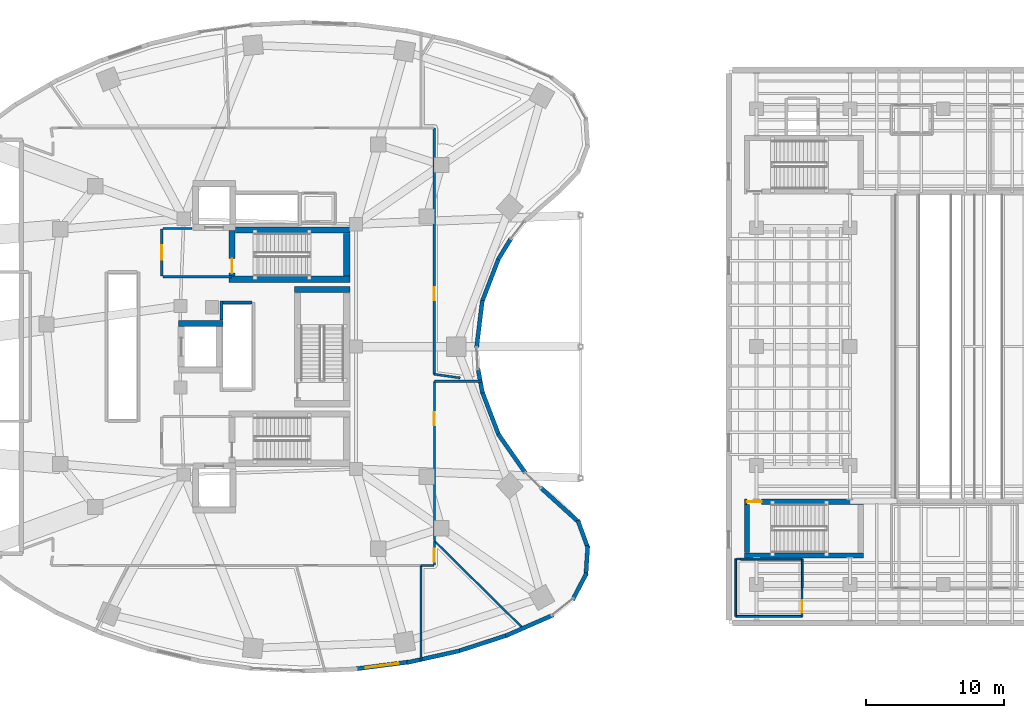
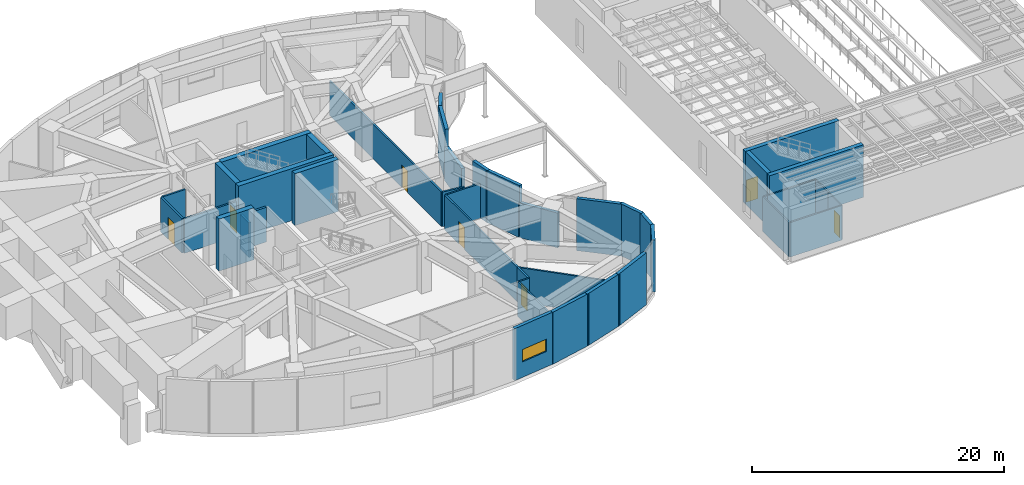
# One storey, part 16 of 23: 42 walls, 7 doors, 1 window, 8 openings.
"""IFC4 building model written with IfcOpenShell, lengths in metres."""

from ifc_helpers import new_model, si_unit, direction, frame, frame_2d, origin, place, context, subcontext, project, spatial, rectangle, extrude, material, layer, layer_set, type_object, element, fill, save


model = new_model("IFC4")

# Units and contexts
model_context = context("Model", 3, precision=1e-05, world=origin(), true_north=direction((0.0, 1.0)))
body_context = subcontext(model_context, "Body", "Model", "MODEL_VIEW")
ifc_project = project(units=[si_unit("LENGTHUNIT", "METRE"), si_unit("AREAUNIT", "SQUARE_METRE"), si_unit("VOLUMEUNIT", "CUBIC_METRE"), si_unit("PLANEANGLEUNIT", "RADIAN"), si_unit("MASSUNIT", "GRAM", prefix="KILO")], contexts=[model_context])

# Site, building, storey
site_placement = place(None, origin())
site = spatial("IfcSite", under=ifc_project, at=site_placement, CompositionType="ELEMENT")
building_placement = place(site_placement, origin())
building = spatial("IfcBuilding", under=site, at=building_placement, Name="Korentha Bioscience Tower", CompositionType="ELEMENT")
storey_placement = place(building_placement, frame((0.0, 0.0, 15.0)))
storey = spatial("IfcBuildingStorey", under=building, at=storey_placement, Name="L03", CompositionType="ELEMENT", Elevation=15.0)

# Wall, opening, door
ifc_material_1 = material(Name="Double-Stud Acoustic Gypsum", Category="gypsum")
ifc_layer_1 = layer(ifc_material_1, 0.14990234375, Name="Double-Stud Acoustic Gypsum")
ifc_layer_set_1 = layer_set([ifc_layer_1], Name="Double-Stud Acoustic Gypsum (IW-L150)")
wall_type_1 = type_object("IfcWallType", Name="Acoustic Laboratory Partition Wall 150", PredefinedType="PARTITIONING", material=ifc_layer_set_1)
wall_1_placement = place(storey_placement, frame((43.2099609375, 11.199951171875, 0.0), z_axis=(0.0, 0.0, 1.0), x_axis=(0.0, 1.0, 0.0)))
wall_1 = element("IfcWall", 1, at=wall_1_placement, inside=storey, type_object=wall_type_1, Name="L03 Faculty Dining Restaurant 04 Entrance Wall", PredefinedType="PARTITIONING", context=body_context, shape_type="SweptSolid", body=[
    extrude(rectangle(XDim=1.75830078125, YDim=0.14990234375, at=frame_2d((0.879150390625, 0.0))), origin(), (0.0, 0.0, 1.0), 3.360107421875),
])
opening_1_placement = place(wall_1_placement, frame((0.239990234375, 0.0, 0.0)))
opening_1 = element("IfcOpeningElement", 2, at=opening_1_placement, cuts=wall_1, Name="Opening ID-10R", PredefinedType="OPENING", context=body_context, shape_type="SweptSolid", body=[
    extrude(rectangle(XDim=0.949951171875, YDim=2.14990234375, at=frame_2d((0.47509765625, 1.074951171875))), frame((0.0, 0.08984375, 0.0), z_axis=(0.0, -1.0, 0.0), x_axis=(1.0, 0.0, 0.0)), (0.0, 0.0, 1.0), 0.1796875),
])
ifc_material_2 = material(Name="Phenolic Laminate Timber Core", Category="wood")
door_type_1 = type_object("IfcDoorType", Name="Laboratory Single Leaf Door 950x2150 Right", OperationType="SINGLE_SWING_RIGHT", PredefinedType="DOOR", material=ifc_material_2)
door_1_placement = place(opening_1_placement, origin())
door_1 = element("IfcDoor", 3, at=door_1_placement, inside=storey, type_object=door_type_1, Name="L03 Faculty Dining Restaurant 04 Door", OperationType="SINGLE_SWING_RIGHT", OverallHeight=2.14990234375, OverallWidth=0.949951171875, PredefinedType="DOOR", context=body_context, shape_type="SweptSolid", body=[
    extrude(rectangle(XDim=0.949951171875, YDim=2.14990234375, at=frame_2d((0.47509765625, 1.074951171875))), frame((0.0, 0.02490234375, 0.0), z_axis=(0.0, -1.0, 0.0), x_axis=(1.0, 0.0, 0.0)), (0.0, 0.0, 1.0), 0.050048828125),
])
fill(opening_1, door_1)

wall_2_placement = place(storey_placement, frame((43.2099609375, 12.96826171875, 0.0), z_axis=(0.0, 0.0, 1.0), x_axis=(0.0, 1.0, 0.0)))
wall_2 = element("IfcWall", 4, at=wall_2_placement, inside=storey, type_object=wall_type_1, Name="L03 Catering Warming Kitchen 05 Entrance Wall", PredefinedType="PARTITIONING", context=body_context, shape_type="SweptSolid", body=[
    extrude(rectangle(XDim=11.52978515625, YDim=0.14990234375, at=frame_2d((5.764892578125, 0.0))), origin(), (0.0, 0.0, 1.0), 3.360107421875),
])
opening_2_placement = place(wall_2_placement, frame((8.3330078125, 0.0, 0.0)))
opening_2 = element("IfcOpeningElement", 5, at=opening_2_placement, cuts=wall_2, Name="Opening ID-10L", PredefinedType="OPENING", context=body_context, shape_type="SweptSolid", body=[
    extrude(rectangle(XDim=0.949951171875, YDim=2.14990234375, at=frame_2d((0.47509765625, 1.074951171875))), frame((0.0, 0.08984375, 0.0), z_axis=(0.0, -1.0, 0.0), x_axis=(1.0, 0.0, 0.0)), (0.0, 0.0, 1.0), 0.1796875),
])
door_type_2 = type_object("IfcDoorType", Name="Laboratory Single Leaf Door 950x2150 Left", OperationType="SINGLE_SWING_LEFT", PredefinedType="DOOR", material=ifc_material_2)
door_2_placement = place(opening_2_placement, origin())
door_2 = element("IfcDoor", 6, at=door_2_placement, inside=storey, type_object=door_type_2, Name="L03 Catering Warming Kitchen 05 Door", OperationType="SINGLE_SWING_LEFT", OverallHeight=2.14990234375, OverallWidth=0.949951171875, PredefinedType="DOOR", context=body_context, shape_type="SweptSolid", body=[
    extrude(rectangle(XDim=0.949951171875, YDim=2.14990234375, at=frame_2d((0.47509765625, 1.074951171875))), frame((0.0, 0.02490234375, 0.0), z_axis=(0.0, -1.0, 0.0), x_axis=(1.0, 0.0, 0.0)), (0.0, 0.0, 1.0), 0.050048828125),
])
fill(opening_2, door_2)

# Walls
wall_3_placement = place(storey_placement, frame((42.248046875, 11.18994140625, 0.0), z_axis=(0.0, 0.0, 1.0), x_axis=(0.0, -1.0, 0.0)))
element("IfcWall", 7, at=wall_3_placement, inside=storey, type_object=wall_type_1, Name="L03 Interior Partition 024", PredefinedType="PARTITIONING", context=body_context, shape_type="SweptSolid", body=[
    extrude(rectangle(XDim=6.922119140625, YDim=0.14990234375, at=frame_2d((3.4609375, 0.0))), origin(), (0.0, 0.0, 1.0), 3.360107421875),
])
wall_4_placement = place(storey_placement, frame((42.258056640625, 11.18994140625, 0.0), z_axis=(0.0, 0.0, 1.0), x_axis=(1.0, 0.0, 0.0)))
element("IfcWall", 8, at=wall_4_placement, inside=storey, type_object=wall_type_1, Name="L03 Interior Partition 025", PredefinedType="PARTITIONING", context=body_context, shape_type="SweptSolid", body=[
    extrude(rectangle(XDim=0.94189453125, YDim=0.14990234375, at=frame_2d((0.470947265625, 0.0))), origin(), (0.0, 0.0, 1.0), 3.360107421875),
])
wall_5_placement = place(storey_placement, frame((43.2099609375, 12.958251953125, 0.0), z_axis=(0.0, 0.0, 1.0), x_axis=(0.712021703393, -0.702157456627, 0.0)))
element("IfcWall", 9, at=wall_5_placement, inside=storey, type_object=wall_type_1, Name="L03 Interior Partition 026", PredefinedType="PARTITIONING", context=body_context, shape_type="SweptSolid", body=[
    extrude(rectangle(XDim=9.10791015625, YDim=0.14990234375, at=frame_2d((4.553955078125, 0.0))), origin(), (0.0, 0.0, 1.0), 3.360107421875),
])
wall_6_placement = place(storey_placement, frame((43.2099609375, 24.498046875, 0.0), z_axis=(0.0, 0.0, 1.0), x_axis=(1.0, 0.0, 0.0)))
element("IfcWall", 10, at=wall_6_placement, inside=storey, type_object=wall_type_1, Name="L03 Interior Partition 027", PredefinedType="PARTITIONING", context=body_context, shape_type="SweptSolid", body=[
    extrude(rectangle(XDim=3.441650390625, YDim=0.14990234375, at=frame_2d((1.720703125, 0.0))), origin(), (0.0, 0.0, 1.0), 3.360107421875),
])

# Wall, opening, door
ifc_material_3 = material(Name="Gypsum-Clad Steel Stud", Category="steel")
ifc_layer_2 = layer(ifc_material_3, 0.159912109375, Name="Gypsum-Clad Steel Stud")
ifc_layer_set_2 = layer_set([ifc_layer_2], Name="Gypsum-Clad Steel Stud (IW-C160)")
wall_type_2 = type_object("IfcWallType", Name="Fire-Rated Corridor Partition Wall 160", PredefinedType="PARTITIONING", material=ifc_layer_set_2)
wall_7_placement = place(storey_placement, frame((23.5, 32.10009765625, 0.0), z_axis=(0.0, 0.0, 1.0), x_axis=(0.0, 1.0, 0.0)))
wall_7 = element("IfcWall", 11, at=wall_7_placement, inside=storey, type_object=wall_type_2, Name="L03 FFLN-CW Rated Enclosure Wall", PredefinedType="PARTITIONING", context=body_context, shape_type="SweptSolid", body=[
    extrude(rectangle(XDim=3.39990234375, YDim=0.159912109375, at=frame_2d((1.699951171875, 0.0))), origin(), (0.0, 0.0, 1.0), 3.360107421875),
])
opening_3_placement = place(wall_7_placement, frame((1.175048828125, 0.0, 0.0)))
opening_3 = element("IfcOpeningElement", 12, at=opening_3_placement, cuts=wall_7, Name="Opening FD-90R", PredefinedType="OPENING", context=body_context, shape_type="SweptSolid", body=[
    extrude(rectangle(XDim=1.050048828125, YDim=2.14990234375, at=frame_2d((0.52490234375, 1.074951171875))), frame((0.0, 0.0947265625, 0.0), z_axis=(0.0, -1.0, 0.0), x_axis=(1.0, 0.0, 0.0)), (0.0, 0.0, 1.0), 0.189697265625),
])
ifc_material_4 = material(Name="Powder-Coated Fire-Rated Steel", Category="steel")
door_type_3 = type_object("IfcDoorType", Name="Stairwell Fire Exit Door 1050x2150 Right", OperationType="SINGLE_SWING_RIGHT", PredefinedType="DOOR", material=ifc_material_4)
door_3_placement = place(opening_3_placement, origin())
door_3 = element("IfcDoor", 13, at=door_3_placement, inside=storey, type_object=door_type_3, Name="L03 North Firefighting Lobby Door", OperationType="SINGLE_SWING_RIGHT", OverallHeight=2.14990234375, OverallWidth=1.050048828125, PredefinedType="DOOR", context=body_context, shape_type="SweptSolid", body=[
    extrude(rectangle(XDim=1.050048828125, YDim=2.14990234375, at=frame_2d((0.52490234375, 1.074951171875))), frame((0.0, 0.02490234375, 0.0), z_axis=(0.0, -1.0, 0.0), x_axis=(1.0, 0.0, 0.0)), (0.0, 0.0, 1.0), 0.050048828125),
])
fill(opening_3, door_3)

# Walls
wall_8_placement = place(storey_placement, frame((23.580078125, 32.050048828125, 0.0), z_axis=(0.0, 0.0, 1.0), x_axis=(1.0, 0.0, 0.0)))
element("IfcWall", 14, at=wall_8_placement, inside=storey, type_object=wall_type_2, Name="L03 Firefighting Lobby Return Wall FFLN-S", PredefinedType="PARTITIONING", context=body_context, shape_type="SweptSolid", body=[
    extrude(rectangle(XDim=4.969970703125, YDim=0.159912109375, at=frame_2d((2.48486328125, 0.0))), origin(), (0.0, 0.0, 1.0), 3.360107421875),
])
wall_9_placement = place(storey_placement, frame((23.580078125, 35.550048828125, 0.0), z_axis=(0.0, 0.0, 1.0), x_axis=(1.0, 0.0, 0.0)))
element("IfcWall", 15, at=wall_9_placement, inside=storey, type_object=wall_type_2, Name="L03 Firefighting Lobby Return Wall FFLN-N", PredefinedType="PARTITIONING", context=body_context, shape_type="SweptSolid", body=[
    extrude(rectangle(XDim=2.119873046875, YDim=0.159912109375, at=frame_2d((1.06005859375, 0.0))), origin(), (0.0, 0.0, 1.0), 3.360107421875),
])

# Wall, opening, door
wall_10_placement = place(storey_placement, frame((43.2099609375, 25.001220703125, 0.0), z_axis=(0.0, 0.0, 1.0), x_axis=(0.0, 1.0, 0.0)))
wall_10 = element("IfcWall", 16, at=wall_10_placement, inside=storey, type_object=wall_type_2, Name="L03 Audio-Visual Equipment Store 06 Entrance Wall", PredefinedType="PARTITIONING", context=body_context, shape_type="SweptSolid", body=[
    extrude(rectangle(XDim=17.798828125, YDim=0.159912109375, at=frame_2d((8.8994140625, 0.0))), origin(), (0.0, 0.0, 1.0), 3.360107421875),
])
opening_4_placement = place(wall_10_placement, frame((5.3369140625, 0.0, 0.0)))
opening_4 = element("IfcOpeningElement", 17, at=opening_4_placement, cuts=wall_10, Name="Opening ID-10R", PredefinedType="OPENING", context=body_context, shape_type="SweptSolid", body=[
    extrude(rectangle(XDim=0.949951171875, YDim=2.14990234375, at=frame_2d((0.47509765625, 1.074951171875))), frame((0.0, 0.0947265625, 0.0), z_axis=(0.0, -1.0, 0.0), x_axis=(1.0, 0.0, 0.0)), (0.0, 0.0, 1.0), 0.189697265625),
])
door_4_placement = place(opening_4_placement, origin())
door_4 = element("IfcDoor", 18, at=door_4_placement, inside=storey, type_object=door_type_1, Name="L03 Audio-Visual Equipment Store 06 Door", OperationType="SINGLE_SWING_RIGHT", OverallHeight=2.14990234375, OverallWidth=0.949951171875, PredefinedType="DOOR", context=body_context, shape_type="SweptSolid", body=[
    extrude(rectangle(XDim=0.949951171875, YDim=2.14990234375, at=frame_2d((0.47509765625, 1.074951171875))), frame((0.0, 0.02490234375, 0.0), z_axis=(0.0, -1.0, 0.0), x_axis=(1.0, 0.0, 0.0)), (0.0, 0.0, 1.0), 0.050048828125),
])
fill(opening_4, door_4)

# Wall
wall_11_placement = place(storey_placement, frame((45.0830078125, 24.738037109375, 0.0), z_axis=(0.0, 0.0, 1.0), x_axis=(-0.99027214707, 0.139144079059, 0.0)))
element("IfcWall", 19, at=wall_11_placement, inside=storey, type_object=wall_type_2, Name="L03 Interior Partition 029", PredefinedType="PARTITIONING", context=body_context, shape_type="SweptSolid", body=[
    extrude(rectangle(XDim=1.891357421875, YDim=0.159912109375, at=frame_2d((0.94580078125, 0.0))), origin(), (0.0, 0.0, 1.0), 3.360107421875),
])

# Wall, opening, window
ifc_material_5 = material(Name="Honed Limestone Precast Concrete C40", Category="masonry")
ifc_layer_3 = layer(ifc_material_5, 0.300048828125, Name="Honed Limestone Precast Concrete C40")
ifc_layer_set_3 = layer_set([ifc_layer_3], Name="Honed Limestone Precast Concrete C40 (EW-ST300)")
wall_type_3 = type_object("IfcWallType", Name="Honed Limestone Cavity Spandrel Wall 300", PredefinedType="STANDARD", material=ifc_layer_set_3)
wall_12_placement = place(storey_placement, frame((37.4892578125, 3.7001953125, 0.0), z_axis=(0.0, 0.0, 1.0), x_axis=(0.991741322416, 0.128254237408, 0.0)))
wall_12 = element("IfcWall", 20, at=wall_12_placement, inside=storey, type_object=wall_type_3, Name="L03 Honed Limestone Spandrel Wall 33", PredefinedType="STANDARD", context=body_context, shape_type="SweptSolid", body=[
    extrude(rectangle(XDim=3.91552734375, YDim=0.300048828125, at=frame_2d((1.957763671875, 0.0))), origin(), (0.0, 0.0, 1.0), 5.050048828125),
])
opening_5_placement = place(wall_12_placement, frame((0.7578125, 0.0, 1.5)))
opening_5 = element("IfcOpeningElement", 21, at=opening_5_placement, cuts=wall_12, Name="Opening WN-04", PredefinedType="OPENING", context=body_context, shape_type="SweptSolid", body=[
    extrude(rectangle(XDim=2.39990234375, YDim=1.199951171875, at=frame_2d((1.199951171875, 0.60009765625))), frame((0.0, 0.1650390625, 0.0), z_axis=(0.0, -1.0, 0.0), x_axis=(1.0, 0.0, 0.0)), (0.0, 0.0, 1.0), 0.329833984375),
])
ifc_material_6 = material(Name="Thermally Broken Aluminium Triple Glazing", Category="aluminium")
window_type = type_object("IfcWindowType", Name="Podium Clerestory Ribbon Window 2400x1200", PartitioningType="DOUBLE_PANEL_HORIZONTAL", PredefinedType="WINDOW", material=ifc_material_6)
window_placement = place(opening_5_placement, origin())
window = element("IfcWindow", 22, at=window_placement, inside=storey, type_object=window_type, Name="L03 Facade Window 33", OverallHeight=1.199951171875, OverallWidth=2.39990234375, PartitioningType="DOUBLE_PANEL_HORIZONTAL", PredefinedType="WINDOW", context=body_context, shape_type="SweptSolid", body=[
    extrude(rectangle(XDim=2.39990234375, YDim=1.199951171875, at=frame_2d((1.199951171875, 0.60009765625))), frame((0.0, 0.030029296875, 0.0), z_axis=(0.0, -1.0, 0.0), x_axis=(1.0, 0.0, 0.0)), (0.0, 0.0, 1.0), 0.06005859375),
])
fill(opening_5, window)

# Walls
wall_13_placement = place(storey_placement, frame((41.22509765625, 4.1552734375, 0.0), z_axis=(0.0, 0.0, 1.0), x_axis=(0.975868573345, 0.218358713032, 0.0)))
element("IfcWall", 23, at=wall_13_placement, inside=storey, type_object=wall_type_3, Name="L03 Limestone Perimeter Closure Wall 34", PredefinedType="STANDARD", context=body_context, shape_type="SweptSolid", body=[
    extrude(rectangle(XDim=3.90869140625, YDim=0.300048828125, at=frame_2d((1.954345703125, 0.0))), origin(), (0.0, 0.0, 1.0), 5.050048828125),
])
wall_14_placement = place(storey_placement, frame((44.872802734375, 4.963134765625, 0.0), z_axis=(0.0, 0.0, 1.0), x_axis=(0.950965833732, 0.309295947393, 0.0)))
element("IfcWall", 24, at=wall_14_placement, inside=storey, type_object=wall_type_3, Name="L03 Limestone Perimeter Closure Wall 35", PredefinedType="STANDARD", context=body_context, shape_type="SweptSolid", body=[
    extrude(rectangle(XDim=3.840087890625, YDim=0.300048828125, at=frame_2d((1.919921875, 0.0))), origin(), (0.0, 0.0, 1.0), 5.050048828125),
])
wall_15_placement = place(storey_placement, frame((48.3623046875, 6.089111328125, 0.0), z_axis=(0.0, 0.0, 1.0), x_axis=(0.915945168042, 0.401303437738, 0.0)))
element("IfcWall", 25, at=wall_15_placement, inside=storey, type_object=wall_type_3, Name="L03 Limestone Perimeter Closure Wall 36", PredefinedType="STANDARD", context=body_context, shape_type="SweptSolid", body=[
    extrude(rectangle(XDim=3.75244140625, YDim=0.300048828125, at=frame_2d((1.876220703125, 0.0))), origin(), (0.0, 0.0, 1.0), 5.050048828125),
])
wall_16_placement = place(storey_placement, frame((53.20751953125, 8.691650390625, 0.0), z_axis=(0.0, 0.0, 1.0), x_axis=(0.463035066673, 0.886339961319, 0.0)))
element("IfcWall", 26, at=wall_16_placement, inside=storey, type_object=wall_type_3, Name="L03 Limestone Perimeter Closure Wall 38", PredefinedType="STANDARD", context=body_context, shape_type="SweptSolid", body=[
    extrude(rectangle(XDim=2.1875, YDim=0.300048828125, at=frame_2d((1.09375, 0.0))), origin(), (0.0, 0.0, 1.0), 5.050048828125),
])
for number, where, z_axis, x_axis, name in (
    (27, (54.16259765625, 10.42431640625, 0.0), (0.0, 0.0, 1.0), (0.064615302336, 0.99791024782, 0.0), "L03 Limestone Perimeter Closure Wall 39"),
    (28, (54.334716796875, 12.39501953125, 0.0), (0.0, 0.0, 1.0), (-0.344939866054, 0.938624785954, 0.0), "L03 Limestone Perimeter Closure Wall 40"),
):
    element("IfcWall", number, at=place(storey_placement, frame(where, z_axis=z_axis, x_axis=x_axis)), inside=storey, type_object=wall_type_3, Name=name, PredefinedType="STANDARD", context=body_context, shape_type="SweptSolid", body=[
        extrude(rectangle(XDim=2.187744140625, YDim=0.300048828125, at=frame_2d((1.09375, 0.0))), origin(), (0.0, 0.0, 1.0), 5.050048828125),
    ])
wall_17_placement = place(storey_placement, frame((53.704345703125, 14.26416015625, 0.0), z_axis=(0.0, 0.0, 1.0), x_axis=(-0.74117794387, 0.671308614216, 0.0)))
element("IfcWall", 29, at=wall_17_placement, inside=storey, type_object=wall_type_3, Name="L03 Limestone Perimeter Closure Wall 41", PredefinedType="STANDARD", context=body_context, shape_type="SweptSolid", body=[
    extrude(rectangle(XDim=3.815673828125, YDim=0.300048828125, at=frame_2d((1.90771484375, 0.0))), origin(), (0.0, 0.0, 1.0), 5.050048828125),
])
wall_18_placement = place(storey_placement, frame((49.79248046875, 17.8779296875, 0.0), z_axis=(0.0, 0.0, 1.0), x_axis=(-0.573576992806, 0.819151654655, 0.0)))
element("IfcWall", 30, at=wall_18_placement, inside=storey, type_object=wall_type_3, Name="L03 Limestone Perimeter Closure Wall 44", PredefinedType="STANDARD", context=body_context, shape_type="SweptSolid", body=[
    extrude(rectangle(XDim=3.429931640625, YDim=0.300048828125, at=frame_2d((1.71484375, 0.0))), origin(), (0.0, 0.0, 1.0), 3.375),
])
wall_19_placement = place(storey_placement, frame((47.8837890625, 20.577392578125, 0.0), z_axis=(0.0, 0.0, 1.0), x_axis=(-0.358344570513, 0.933589400531, 0.0)))
element("IfcWall", 31, at=wall_19_placement, inside=storey, type_object=wall_type_3, Name="L03 Limestone Perimeter Closure Wall 46", PredefinedType="STANDARD", context=body_context, shape_type="SweptSolid", body=[
    extrude(rectangle(XDim=3.4296875, YDim=0.300048828125, at=frame_2d((1.71484375, 0.0))), origin(), (0.0, 0.0, 1.0), 5.050048828125),
])
wall_20_placement = place(storey_placement, frame((46.691162109375, 23.650390625, 0.0), z_axis=(0.0, 0.0, 1.0), x_axis=(-0.182230271073, 0.983255881399, 0.0)))
element("IfcWall", 32, at=wall_20_placement, inside=storey, type_object=wall_type_3, Name="L03 Limestone Perimeter Closure Wall 48", PredefinedType="STANDARD", context=body_context, shape_type="SweptSolid", body=[
    extrude(rectangle(XDim=1.7978515625, YDim=0.300048828125, at=frame_2d((0.89892578125, 0.0))), origin(), (0.0, 0.0, 1.0), 5.050048828125),
])
wall_21_placement = place(storey_placement, frame((46.26708984375, 26.937744140625, 0.0), z_axis=(0.0, 0.0, 1.0), x_axis=(0.121870386032, 0.992546023622, 0.0)))
element("IfcWall", 33, at=wall_21_placement, inside=storey, type_object=wall_type_3, Name="L03 Limestone Perimeter Closure Wall 50", PredefinedType="STANDARD", context=body_context, shape_type="SweptSolid", body=[
    extrude(rectangle(XDim=3.4296875, YDim=0.300048828125, at=frame_2d((1.71484375, 0.0))), origin(), (0.0, 0.0, 1.0), 3.375),
])
wall_22_placement = place(storey_placement, frame((46.65478515625, 30.220703125, 0.0), z_axis=(0.0, 0.0, 1.0), x_axis=(0.358344570513, 0.933589400531, 0.0)))
element("IfcWall", 34, at=wall_22_placement, inside=storey, type_object=wall_type_3, Name="L03 Limestone Perimeter Closure Wall 52", PredefinedType="STANDARD", context=body_context, shape_type="SweptSolid", body=[
    extrude(rectangle(XDim=3.4296875, YDim=0.300048828125, at=frame_2d((1.71484375, 0.0))), origin(), (0.0, 0.0, 1.0), 5.050048828125),
])
wall_23_placement = place(storey_placement, frame((47.82470703125, 33.302734375, 0.0), z_axis=(0.0, 0.0, 1.0), x_axis=(0.522520662875, 0.852626622191, 0.0)))
element("IfcWall", 35, at=wall_23_placement, inside=storey, type_object=wall_type_3, Name="L03 Limestone Perimeter Closure Wall 54", PredefinedType="STANDARD", context=body_context, shape_type="SweptSolid", body=[
    extrude(rectangle(XDim=1.7978515625, YDim=0.300048828125, at=frame_2d((0.89892578125, 0.0))), origin(), (0.0, 0.0, 1.0), 5.050048828125),
])
ifc_material_7 = material(Name="Autoclaved Aerated Concrete Block C25", Category="concrete")
ifc_layer_4 = layer(ifc_material_7, 0.199951171875, Name="Autoclaved Aerated Concrete Block C25")
ifc_layer_set_4 = layer_set([ifc_layer_4], Name="Autoclaved Aerated Concrete Block C25 (IW-S200)")
wall_type_4 = type_object("IfcWallType", Name="Lift and Riser Shaft Enclosure Wall 200", PredefinedType="PARTITIONING", material=ifc_layer_set_4)
wall_24_placement = place(storey_placement, frame((27.830078125, 28.908935546875, 0.0), z_axis=(0.0, 0.0, 1.0), x_axis=(0.0, 1.0, 0.0)))
element("IfcWall", 36, at=wall_24_placement, inside=storey, type_object=wall_type_4, Name="L03 Lift Bank HIGH Shaft Wall -XN", PredefinedType="PARTITIONING", context=body_context, shape_type="SweptSolid", body=[
    extrude(rectangle(XDim=1.39111328125, YDim=0.199951171875, at=frame_2d((0.695556640625, 0.0))), origin(), (0.0, 0.0, 1.0), 3.360107421875),
])
wall_25_placement = place(storey_placement, frame((27.93408203125, 30.199951171875, 0.0), z_axis=(0.0, 0.0, 1.0), x_axis=(1.0, 0.0, 0.0)))
element("IfcWall", 37, at=wall_25_placement, inside=storey, type_object=wall_type_4, Name="L03 Lift Bank HIGH Shaft Wall +Y", PredefinedType="PARTITIONING", context=body_context, shape_type="SweptSolid", body=[
    extrude(rectangle(XDim=2.095947265625, YDim=0.199951171875, at=frame_2d((1.0478515625, 0.0))), origin(), (0.0, 0.0, 1.0), 3.360107421875),
])
ifc_material_8 = material(Name="Concrete C80", Category="concrete")
ifc_layer_5 = layer(ifc_material_8, 0.449951171875, Name="Concrete C80")
ifc_layer_set_5 = layer_set([ifc_layer_5], Name="Concrete C80 (CW-C80)")
wall_type_5 = type_object("IfcWallType", Name="Lower Core Shear Wall 450", PredefinedType="SHEAR", material=ifc_layer_set_5)
wall_26_placement = place(storey_placement, frame((28.85205078125, 35.425048828125, 0.0), z_axis=(0.0, 0.0, 1.0), x_axis=(1.0, 0.0, 0.0)))
element("IfcWall", 38, at=wall_26_placement, inside=storey, type_object=wall_type_5, Name="L03 Core Shear Wall ST1-N", PredefinedType="SHEAR", context=body_context, shape_type="SweptSolid", body=[
    extrude(rectangle(XDim=8.248046875, YDim=0.449951171875, at=frame_2d((4.1240234375, 0.0))), origin(), (0.0, 0.0, 1.0), 5.050048828125),
])
wall_27_placement = place(storey_placement, frame((28.35009765625, 31.875, 0.0), z_axis=(0.0, 0.0, 1.0), x_axis=(1.0, 0.0, 0.0)))
element("IfcWall", 39, at=wall_27_placement, inside=storey, type_object=wall_type_5, Name="L03 Core Shear Wall ST1-S", PredefinedType="SHEAR", context=body_context, shape_type="SweptSolid", body=[
    extrude(rectangle(XDim=8.75, YDim=0.449951171875, at=frame_2d((4.375, 0.0))), origin(), (0.0, 0.0, 1.0), 5.050048828125),
])
wall_28_placement = place(storey_placement, frame((36.875, 32.110107421875, 0.0), z_axis=(0.0, 0.0, 1.0), x_axis=(0.0, 1.0, 0.0)))
element("IfcWall", 40, at=wall_28_placement, inside=storey, type_object=wall_type_5, Name="L03 Core Shear Wall ST1-E", PredefinedType="SHEAR", context=body_context, shape_type="SweptSolid", body=[
    extrude(rectangle(XDim=3.079833984375, YDim=0.449951171875, at=frame_2d((1.5400390625, 0.0))), origin(), (0.0, 0.0, 1.0), 5.050048828125),
])

# Wall, opening, door
wall_29_placement = place(storey_placement, frame((28.574951171875, 32.110107421875, 0.0), z_axis=(0.0, 0.0, 1.0), x_axis=(0.0, 1.0, 0.0)))
wall_29 = element("IfcWall", 41, at=wall_29_placement, inside=storey, type_object=wall_type_5, Name="L03 Core Shear Wall ST1-W", PredefinedType="SHEAR", context=body_context, shape_type="SweptSolid", body=[
    extrude(rectangle(XDim=3.282958984375, YDim=0.449951171875, at=frame_2d((1.6416015625, 0.0))), origin(), (0.0, 0.0, 1.0), 5.050048828125),
])
opening_6_placement = place(wall_29_placement, frame((0.199951171875, 0.0, 0.0)))
opening_6 = element("IfcOpeningElement", 42, at=opening_6_placement, cuts=wall_29, Name="Opening FD-90R", PredefinedType="OPENING", context=body_context, shape_type="SweptSolid", body=[
    extrude(rectangle(XDim=1.050048828125, YDim=2.14990234375, at=frame_2d((0.52490234375, 1.074951171875))), frame((0.0, 0.23974609375, 0.0), z_axis=(0.0, -1.0, 0.0), x_axis=(1.0, 0.0, 0.0)), (0.0, 0.0, 1.0), 0.479736328125),
])
door_5_placement = place(opening_6_placement, origin())
door_5 = element("IfcDoor", 43, at=door_5_placement, inside=storey, type_object=door_type_3, Name="L03 ST-1 Fire Exit Stair Door", OperationType="SINGLE_SWING_RIGHT", OverallHeight=2.14990234375, OverallWidth=1.050048828125, PredefinedType="DOOR", context=body_context, shape_type="SweptSolid", body=[
    extrude(rectangle(XDim=1.050048828125, YDim=2.14990234375, at=frame_2d((0.52490234375, 1.074951171875))), frame((0.0, 0.02490234375, 0.0), z_axis=(0.0, -1.0, 0.0), x_axis=(1.0, 0.0, 0.0)), (0.0, 0.0, 1.0), 0.050048828125),
])
fill(opening_6, door_5)

# Walls
wall_30_placement = place(storey_placement, frame((33.10009765625, 31.125, 0.0), z_axis=(0.0, 0.0, 1.0), x_axis=(1.0, 0.0, 0.0)))
element("IfcWall", 44, at=wall_30_placement, inside=storey, type_object=wall_type_5, Name="L03 Core Shear Wall ST3-N", PredefinedType="SHEAR", context=body_context, shape_type="SweptSolid", body=[
    extrude(rectangle(XDim=4.0, YDim=0.449951171875, at=frame_2d((2.0, 0.0))), origin(), (0.0, 0.0, 1.0), 5.050048828125),
])
wall_31_placement = place(storey_placement, frame((24.719970703125, 28.679931640625, 0.0), z_axis=(0.0, 0.0, 1.0), x_axis=(1.0, 0.0, 0.0)))
element("IfcWall", 45, at=wall_31_placement, inside=storey, type_object=wall_type_5, Name="L03 Core Shear Wall SVL1-N", PredefinedType="SHEAR", context=body_context, shape_type="SweptSolid", body=[
    extrude(rectangle(XDim=3.2099609375, YDim=0.449951171875, at=frame_2d((1.60498046875, 0.0))), origin(), (0.0, 0.0, 1.0), 5.050048828125),
])
ifc_material_9 = material(Name="Concrete C50", Category="concrete")
ifc_layer_6 = layer(ifc_material_9, 0.3798828125, Name="Concrete C50")
ifc_layer_set_6 = layer_set([ifc_layer_6], Name="Concrete C50 (TW-I380)")
wall_type_6 = type_object("IfcWallType", Name="Theatre Proscenium Shear Wall 380", PredefinedType="SHEAR", material=ifc_layer_set_6)
wall_32_placement = place(storey_placement, frame((65.6201171875, 11.909912109375, 0.0), z_axis=(0.0, 0.0, 1.0), x_axis=(1.0, 0.0, 0.0)))
element("IfcWall", 46, at=wall_32_placement, inside=storey, type_object=wall_type_6, Name="L03 Theatre Shear Wall STT1-S", PredefinedType="SHEAR", context=body_context, shape_type="SweptSolid", body=[
    extrude(rectangle(XDim=8.60986328125, YDim=0.3798828125, at=frame_2d((4.304931640625, 0.0))), origin(), (0.0, 0.0, 1.0), 5.10009765625),
])

# Wall, opening, door
wall_33_placement = place(storey_placement, frame((65.6201171875, 15.7900390625, 0.0), z_axis=(0.0, 0.0, 1.0), x_axis=(1.0, 0.0, 0.0)))
wall_33 = element("IfcWall", 47, at=wall_33_placement, inside=storey, type_object=wall_type_6, Name="L03 Theatre Shear Wall STT1-N", PredefinedType="SHEAR", context=body_context, shape_type="SweptSolid", body=[
    extrude(rectangle(XDim=8.60986328125, YDim=0.3798828125, at=frame_2d((4.304931640625, 0.0))), origin(), (0.0, 0.0, 1.0), 5.10009765625),
])
opening_7_placement = place(wall_33_placement, frame((0.199951171875, 0.0, 0.0)))
opening_7 = element("IfcOpeningElement", 48, at=opening_7_placement, cuts=wall_33, Name="Opening FD-90L", PredefinedType="OPENING", context=body_context, shape_type="SweptSolid", body=[
    extrude(rectangle(XDim=1.050048828125, YDim=2.14990234375, at=frame_2d((0.52490234375, 1.074951171875))), frame((0.0, 0.204833984375, 0.0), z_axis=(0.0, -1.0, 0.0), x_axis=(1.0, 0.0, 0.0)), (0.0, 0.0, 1.0), 0.40966796875),
])
door_type_4 = type_object("IfcDoorType", Name="Stairwell Fire Exit Door 1050x2150 Left", OperationType="SINGLE_SWING_LEFT", PredefinedType="DOOR", material=ifc_material_4)
door_6_placement = place(opening_7_placement, origin())
door_6 = element("IfcDoor", 49, at=door_6_placement, inside=storey, type_object=door_type_4, Name="L03 ST-T1 Fire Exit Stair Door", OperationType="SINGLE_SWING_LEFT", OverallHeight=2.14990234375, OverallWidth=1.050048828125, PredefinedType="DOOR", context=body_context, shape_type="SweptSolid", body=[
    extrude(rectangle(XDim=1.050048828125, YDim=2.14990234375, at=frame_2d((0.52490234375, 1.074951171875))), frame((0.0, 0.02490234375, 0.0), z_axis=(0.0, -1.0, 0.0), x_axis=(1.0, 0.0, 0.0)), (0.0, 0.0, 1.0), 0.050048828125),
])
fill(opening_7, door_6)

# Wall
wall_34_placement = place(storey_placement, frame((65.81005859375, 12.110107421875, 0.0), z_axis=(0.0, 0.0, 1.0), x_axis=(0.0, 1.0, 0.0)))
element("IfcWall", 50, at=wall_34_placement, inside=storey, type_object=wall_type_6, Name="L03 Theatre Shear Wall STT1-W", PredefinedType="SHEAR", context=body_context, shape_type="SweptSolid", body=[
    extrude(rectangle(XDim=3.47998046875, YDim=0.3798828125, at=frame_2d((1.739990234375, 0.0))), origin(), (0.0, 0.0, 1.0), 5.10009765625),
])

# Wall, opening, door
ifc_material_10 = material(Name="Cement-Board Steel Stud", Category="steel")
ifc_layer_7 = layer(ifc_material_10, 0.1298828125, Name="Cement-Board Steel Stud")
ifc_layer_set_7 = layer_set([ifc_layer_7], Name="Cement-Board Steel Stud (IW-W130)")
wall_type_7 = type_object("IfcWallType", Name="Wet-Area Moisture-Resistant Partition 130", PredefinedType="PARTITIONING", material=ifc_layer_set_7)
wall_35_placement = place(storey_placement, frame((69.7900390625, 9.550048828125, 0.0), z_axis=(0.0, 0.0, 1.0), x_axis=(0.0, -1.0, 0.0)))
wall_35 = element("IfcWall", 51, at=wall_35_placement, inside=storey, type_object=wall_type_7, Name="L03 L03 Theatre Public Restrooms Entrance Wall", PredefinedType="PARTITIONING", context=body_context, shape_type="SweptSolid", body=[
    extrude(rectangle(XDim=2.050048828125, YDim=0.1298828125, at=frame_2d((1.02490234375, 0.0))), origin(), (0.0, 0.0, 1.0), 3.360107421875),
])
opening_8_placement = place(wall_35_placement, frame((0.8798828125, 0.0, 0.0)))
opening_8 = element("IfcOpeningElement", 52, at=opening_8_placement, cuts=wall_35, Name="Opening ID-09R", PredefinedType="OPENING", context=body_context, shape_type="SweptSolid", body=[
    extrude(rectangle(XDim=0.89990234375, YDim=2.14990234375, at=frame_2d((0.449951171875, 1.074951171875))), frame((0.0, 0.079833984375, 0.0), z_axis=(0.0, -1.0, 0.0), x_axis=(1.0, 0.0, 0.0)), (0.0, 0.0, 1.0), 0.15966796875),
])
ifc_material_11 = material(Name="Moisture-Resistant HPL Leaf", Category="wood")
door_type_5 = type_object("IfcDoorType", Name="Restroom & Accessible WC Door 900x2150 Right", OperationType="SINGLE_SWING_RIGHT", PredefinedType="DOOR", material=ifc_material_11)
door_7_placement = place(opening_8_placement, origin())
door_7 = element("IfcDoor", 53, at=door_7_placement, inside=storey, type_object=door_type_5, Name="L03 L03 Theatre Public Restrooms Door", OperationType="SINGLE_SWING_RIGHT", OverallHeight=2.14990234375, OverallWidth=0.89990234375, PredefinedType="DOOR", context=body_context, shape_type="SweptSolid", body=[
    extrude(rectangle(XDim=0.89990234375, YDim=2.14990234375, at=frame_2d((0.449951171875, 1.074951171875))), frame((0.0, 0.02490234375, 0.0), z_axis=(0.0, -1.0, 0.0), x_axis=(1.0, 0.0, 0.0)), (0.0, 0.0, 1.0), 0.050048828125),
])
fill(opening_8, door_7)

# Walls
wall_36_placement = place(storey_placement, frame((65.0, 7.5, 0.0), z_axis=(0.0, 0.0, 1.0), x_axis=(0.0, 1.0, 0.0)))
element("IfcWall", 54, at=wall_36_placement, inside=storey, type_object=wall_type_7, Name="L03 Interior Partition 039", PredefinedType="PARTITIONING", context=body_context, shape_type="SweptSolid", body=[
    extrude(rectangle(XDim=4.14990234375, YDim=0.1298828125, at=frame_2d((2.074951171875, 0.0))), origin(), (0.0, 0.0, 1.0), 3.360107421875),
])
wall_37_placement = place(storey_placement, frame((65.068115234375, 11.64990234375, 0.0), z_axis=(0.0, 0.0, 1.0), x_axis=(1.0, 0.0, 0.0)))
element("IfcWall", 55, at=wall_37_placement, inside=storey, type_object=wall_type_7, Name="L03 Interior Partition 040", PredefinedType="PARTITIONING", context=body_context, shape_type="SweptSolid", body=[
    extrude(rectangle(XDim=0.27197265625, YDim=0.1298828125, at=frame_2d((0.135986328125, 0.0))), origin(), (0.0, 0.0, 1.0), 3.360107421875),
])
wall_38_placement = place(storey_placement, frame((65.35009765625, 11.639892578125, 0.0), z_axis=(0.0, 0.0, 1.0), x_axis=(1.0, 0.0, 0.0)))
element("IfcWall", 56, at=wall_38_placement, inside=storey, type_object=wall_type_7, Name="L03 Interior Partition 041", PredefinedType="PARTITIONING", context=body_context, shape_type="SweptSolid", body=[
    extrude(rectangle(XDim=4.449951171875, YDim=0.1298828125, at=frame_2d((2.22509765625, 0.0))), origin(), (0.0, 0.0, 1.0), 3.360107421875),
])
wall_39_placement = place(storey_placement, frame((69.800048828125, 11.639892578125, 0.0), z_axis=(0.0, 0.0, 1.0), x_axis=(0.0, -1.0, 0.0)))
element("IfcWall", 57, at=wall_39_placement, inside=storey, type_object=wall_type_7, Name="L03 Interior Partition 042", PredefinedType="PARTITIONING", context=body_context, shape_type="SweptSolid", body=[
    extrude(rectangle(XDim=2.079833984375, YDim=0.1298828125, at=frame_2d((1.0400390625, 0.0))), origin(), (0.0, 0.0, 1.0), 3.360107421875),
])
wall_40_placement = place(storey_placement, frame((69.7900390625, 7.5, 0.0), z_axis=(0.0, 0.0, 1.0), x_axis=(-1.0, 0.0, 0.0)))
element("IfcWall", 58, at=wall_40_placement, inside=storey, type_object=wall_type_7, Name="L03 Interior Partition 043", PredefinedType="PARTITIONING", context=body_context, shape_type="SweptSolid", body=[
    extrude(rectangle(XDim=4.7900390625, YDim=0.1298828125, at=frame_2d((2.39501953125, 0.0))), origin(), (0.0, 0.0, 1.0), 3.360107421875),
])

save(model, "model.ifc")
